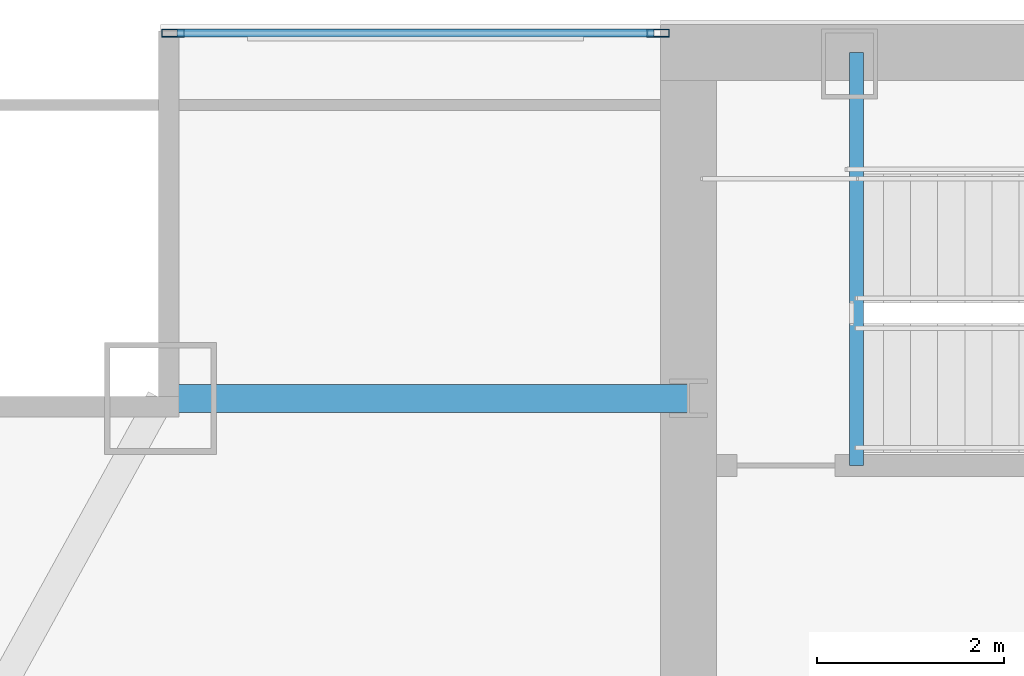
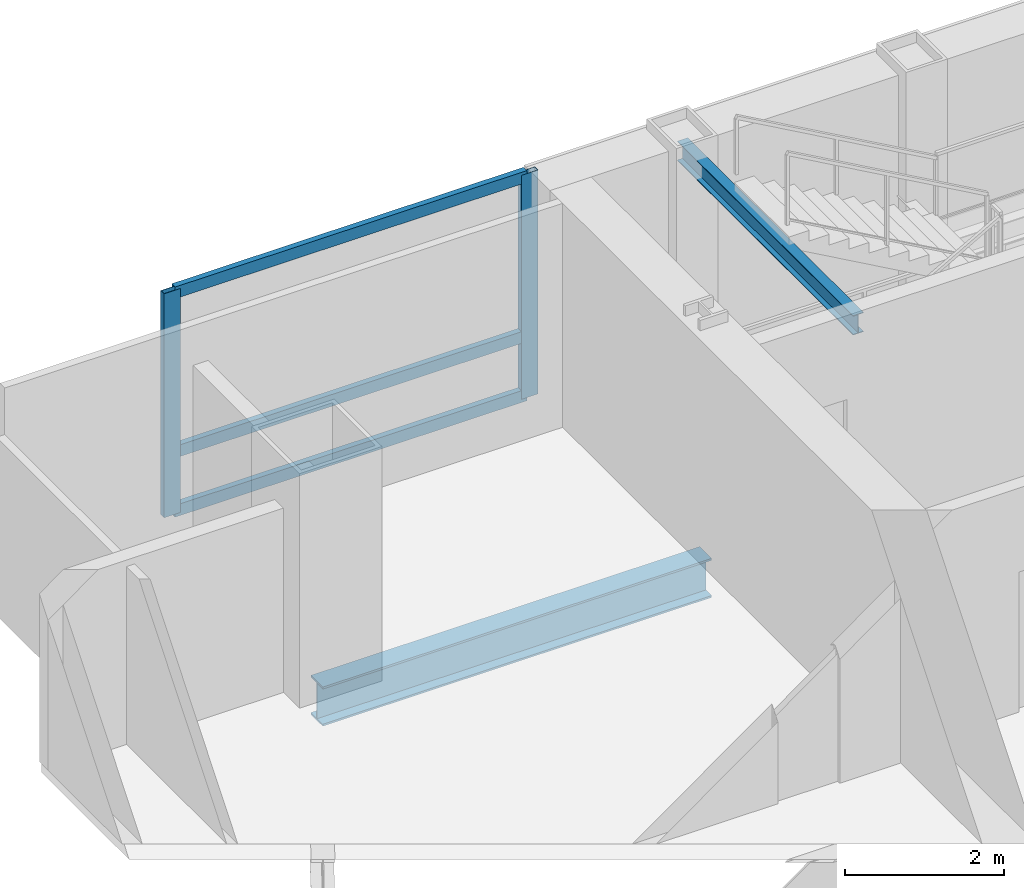
# One storey, part 21 of 30: 5 members, 2 beams, 1 element without a shape of its own.
"""IFC4 building model written with IfcOpenShell, lengths in metres."""

from ifc_helpers import new_model, si_unit, direction, frame, origin, origin_2d, place, context, subcontext, project, spatial, hollow_rectangle, i_section, extrude, material, material_profile, profile_set, type_object, element, aggregate, save


model = new_model("IFC4")

# Units and contexts
model_context = context("Model", 3, precision=1e-05, world=origin(), true_north=direction((0.0, 1.0)))
body_context = subcontext(model_context, "Body", "Model", "MODEL_VIEW")
ifc_project = project(units=[si_unit("LENGTHUNIT", "METRE"), si_unit("AREAUNIT", "SQUARE_METRE"), si_unit("VOLUMEUNIT", "CUBIC_METRE"), si_unit("PLANEANGLEUNIT", "RADIAN"), si_unit("MASSUNIT", "GRAM", prefix="KILO")], contexts=[model_context])

# Site, building, storey
site_placement = place(None, origin())
site = spatial("IfcSite", under=ifc_project, at=site_placement, CompositionType="ELEMENT")
building_placement = place(site_placement, origin())
building = spatial("IfcBuilding", under=site, at=building_placement, Name="Khoronbel Lancet Exchange", CompositionType="ELEMENT")
storey_placement = place(building_placement, frame((0.0, 0.0, 203.0)))
storey = spatial("IfcBuildingStorey", under=building, at=storey_placement, Name="L51", CompositionType="ELEMENT", Elevation=203.0)

# Beams
ifc_material_1 = material(Name="Steel S355", Category="steel")
ifc_material_profile_1 = material_profile(ifc_material_1, i_section(OverallWidth=0.14990234375, OverallDepth=0.300048828125, WebThickness=0.007080078125, FlangeThickness=0.0107421875, at=origin_2d()), Name="IPE 300")
ifc_profile_set_1 = profile_set([ifc_material_profile_1], Name="Steel S355")
beam_type_1 = type_object("IfcBeamType", Name="BM-BJ8", PredefinedType="JOIST", material=ifc_profile_set_1)
beam_1_placement = place(storey_placement, frame((18.300048828125, 48.97998046875, 3.159912109375), z_axis=(0.0, 1.0, 0.0), x_axis=(-1.0, 0.0, 0.0)))
element("IfcBeam", 1, at=beam_1_placement, inside=storey, type_object=beam_type_1, Name="Level L51 stair ST1 upper-flight arrival trimmer beam", PredefinedType="JOIST", context=body_context, shape_type="SweptSolid", body=[
    extrude(i_section(OverallWidth=0.14990234375, OverallDepth=0.300048828125, WebThickness=0.007080078125, FlangeThickness=0.0107421875, at=origin_2d()), origin(), (0.0, 0.0, 1.0), 4.419921875),
])
ifc_material_profile_2 = material_profile(ifc_material_1, i_section(OverallWidth=0.300048828125, OverallDepth=0.60009765625, WebThickness=0.015380859375, FlangeThickness=0.030029296875, at=origin_2d()), Name="HEB 600")
ifc_profile_set_2 = profile_set([ifc_material_profile_2], Name="Steel S355")
beam_type_2 = type_object("IfcBeamType", Name="BM-BSP2", PredefinedType="SPANDREL", material=ifc_profile_set_2)
beam_2_placement = place(storey_placement, frame((10.85009765625, 49.699951171875, -0.4599609375), z_axis=(1.0, 0.0, 0.0), x_axis=(0.0, 1.0, 0.0)))
element("IfcBeam", 2, at=beam_2_placement, inside=storey, type_object=beam_type_2, Name="Level L51 north flank tie spandrel SP22", PredefinedType="SPANDREL", context=body_context, shape_type="SweptSolid", body=[
    extrude(i_section(OverallWidth=0.300048828125, OverallDepth=0.60009765625, WebThickness=0.015380859375, FlangeThickness=0.030029296875, at=origin_2d()), origin(), (0.0, 0.0, 1.0), 5.64990234375),
])

# Curtain wall, members
ifc_material_2 = material(Name="Low-E Solar Control Insulating Glass", Category="glass")
curtain_wall_type = type_object("IfcCurtainWallType", Name="CW-3", PredefinedType="NOTDEFINED", material=ifc_material_2)
curtain_wall_placement = place(storey_placement, origin())
curtain_wall = element("IfcCurtainWall", 3, at=curtain_wall_placement, inside=storey, type_object=curtain_wall_type, Name="Unitised curtain wall CW-L51-NWFLK", PredefinedType="NOTDEFINED")
ifc_material_3 = material(Name="Bronze-Anodised Aluminium 6063-T6", Category="aluminium")
ifc_material_profile_3 = material_profile(ifc_material_3, hollow_rectangle(XDim=0.0849609375, YDim=0.239990234375, WallThickness=0.006103515625, at=origin_2d()), Name="ALU MULLION 85x240")
ifc_profile_set_3 = profile_set([ifc_material_profile_3], Name="Bronze-Anodised Aluminium 6063-T6")
member_type_1 = type_object("IfcMemberType", Name="MEM-CWM1", PredefinedType="MULLION", material=ifc_profile_set_3)
member_1_placement = place(storey_placement, frame((16.177490234375, 53.610107421875, 0.0), z_axis=(0.0, 0.0, 1.0), x_axis=(0.0, -1.0, 0.0)))
member_1 = element("IfcMember", 4, at=member_1_placement, type_object=member_type_1, Name="CW3 mullion 1", PredefinedType="MULLION", context=body_context, shape_type="SweptSolid", body=[
    extrude(hollow_rectangle(XDim=0.0849609375, YDim=0.239990234375, WallThickness=0.006103515625, at=origin_2d()), origin(), (0.0, 0.0, 1.0), 3.43994140625),
])
member_2_placement = place(storey_placement, frame((10.982421875, 53.610107421875, 0.0), z_axis=(0.0, 0.0, 1.0), x_axis=(0.0, -1.0, 0.0)))
member_2 = element("IfcMember", 5, at=member_2_placement, type_object=member_type_1, Name="CW3 mullion 2", PredefinedType="MULLION", context=body_context, shape_type="SweptSolid", body=[
    extrude(hollow_rectangle(XDim=0.0849609375, YDim=0.239990234375, WallThickness=0.006103515625, at=origin_2d()), origin(), (0.0, 0.0, 1.0), 3.43994140625),
])
ifc_material_profile_4 = material_profile(ifc_material_3, hollow_rectangle(XDim=0.0849609375, YDim=0.179931640625, WallThickness=0.0048828125, at=origin_2d()), Name="ALU TRANSOM 85x180")
ifc_profile_set_4 = profile_set([ifc_material_profile_4], Name="Bronze-Anodised Aluminium 6063-T6")
member_type_2 = type_object("IfcMemberType", Name="MEM-CWT1", PredefinedType="USERDEFINED", material=ifc_profile_set_4)
member_3_placement = place(storey_placement, frame((16.135009765625, 53.610107421875, 0.04248046875), z_axis=(-1.0, 0.0, 0.0), x_axis=(0.0, -1.0, 0.0)))
member_3 = element("IfcMember", 6, at=member_3_placement, type_object=member_type_2, Name="CW3 transom 1.1", ObjectType="TRANSOM", PredefinedType="USERDEFINED", context=body_context, shape_type="SweptSolid", body=[
    extrude(hollow_rectangle(XDim=0.0849609375, YDim=0.179931640625, WallThickness=0.0048828125, at=origin_2d()), origin(), (0.0, 0.0, 1.0), 5.110107421875),
])
member_4_placement = place(storey_placement, frame((16.135009765625, 53.610107421875, 0.949951171875), z_axis=(-1.0, 0.0, 0.0), x_axis=(0.0, -1.0, 0.0)))
member_4 = element("IfcMember", 7, at=member_4_placement, type_object=member_type_2, Name="CW3 transom 1.2", ObjectType="TRANSOM", PredefinedType="USERDEFINED", context=body_context, shape_type="SweptSolid", body=[
    extrude(hollow_rectangle(XDim=0.0849609375, YDim=0.179931640625, WallThickness=0.0048828125, at=origin_2d()), origin(), (0.0, 0.0, 1.0), 5.110107421875),
])
member_5_placement = place(storey_placement, frame((16.135009765625, 53.610107421875, 3.3974609375), z_axis=(-1.0, 0.0, 0.0), x_axis=(0.0, -1.0, 0.0)))
member_5 = element("IfcMember", 8, at=member_5_placement, type_object=member_type_2, Name="CW3 transom 1.3", ObjectType="TRANSOM", PredefinedType="USERDEFINED", context=body_context, shape_type="SweptSolid", body=[
    extrude(hollow_rectangle(XDim=0.0849609375, YDim=0.179931640625, WallThickness=0.0048828125, at=origin_2d()), origin(), (0.0, 0.0, 1.0), 5.110107421875),
])
aggregate(curtain_wall, [member_1, member_2, member_3, member_4, member_5])

save(model, "model.ifc")
